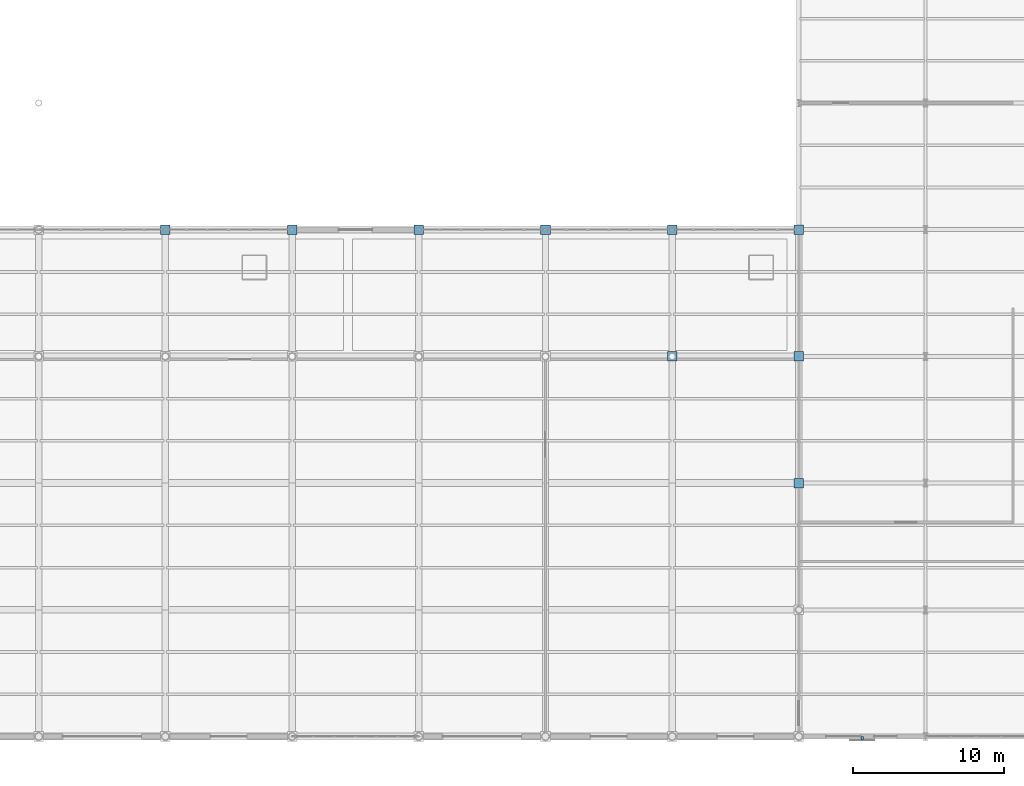
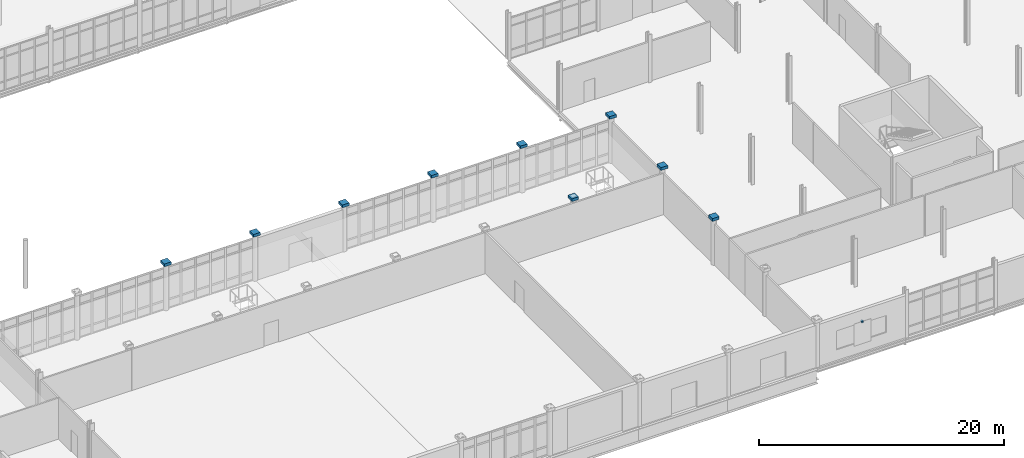
# One storey, part 132 of 145: 10 discrete accessories.
"""IFC4 building model written with IfcOpenShell, lengths in metres."""

from ifc_helpers import new_model, si_unit, direction, frame, origin, origin_2d, place, context, subcontext, project, spatial, rectangle, extrude, material, type_object, element, save


model = new_model("IFC4")

# Units and contexts
model_context = context("Model", 3, precision=1e-05, world=origin(), true_north=direction((0.0, 1.0)))
body_context = subcontext(model_context, "Body", "Model", "MODEL_VIEW")
ifc_project = project(units=[si_unit("LENGTHUNIT", "METRE"), si_unit("AREAUNIT", "SQUARE_METRE"), si_unit("VOLUMEUNIT", "CUBIC_METRE"), si_unit("PLANEANGLEUNIT", "RADIAN"), si_unit("MASSUNIT", "GRAM", prefix="KILO")], contexts=[model_context])

# Site, building, storey
site_placement = place(None, origin())
site = spatial("IfcSite", under=ifc_project, at=site_placement, CompositionType="ELEMENT")
building_placement = place(site_placement, origin())
building = spatial("IfcBuilding", under=site, at=building_placement, Name="Qalvenar Corner Mobility Hub", CompositionType="ELEMENT")
storey_placement = place(building_placement, origin())
storey = spatial("IfcBuildingStorey", under=building, at=storey_placement, Name="L00", CompositionType="ELEMENT", Elevation=0.0)

# Discrete accessories
ifc_material_1 = material(Name="Cast-Bronze Art Nouveau Column Capital Steel S355", Category="steel")
discrete_accessory_type_1 = type_object("IfcDiscreteAccessoryType", Name="ACC-COL-CAP", PredefinedType="BRACKET", material=ifc_material_1)
for number, where, z_axis, x_axis, name in (
    (1, (67.199951171875, 33.60009765625, 4.509765625), (0.0, 0.0, 1.0), (1.0, 0.0, 0.0), "Art Nouveau Column Capital G9-4"),
    (2, (75.60009765625, 33.60009765625, 4.509765625), (0.0, 0.0, 1.0), (1.0, 0.0, 0.0), "Art Nouveau Column Capital G10-4"),
    (3, (84.0, 33.60009765625, 4.509765625), (0.0, 0.0, 1.0), (1.0, 0.0, 0.0), "Art Nouveau Column Capital G11-4"),
    (4, (92.39990234375, 33.60009765625, 4.509765625), (0.0, 0.0, 1.0), (1.0, 0.0, 0.0), "Art Nouveau Column Capital G12-4"),
    (5, (100.800048828125, 25.199951171875, 4.330078125), (0.0, 0.0, 1.0), (1.0, 0.0, 0.0), "Art Nouveau Column Capital G13-3"),
    (6, (100.800048828125, 33.60009765625, 4.509765625), (0.0, 0.0, 1.0), (1.0, 0.0, 0.0), "Art Nouveau Column Capital G13-4"),
    (7, (109.199951171875, 16.800048828125, 4.509765625), (0.0, 0.0, 1.0), (1.0, 0.0, 0.0), "Art Nouveau Column Capital G14-2"),
    (8, (109.199951171875, 25.199951171875, 4.509765625), (0.0, 0.0, 1.0), (1.0, 0.0, 0.0), "Art Nouveau Column Capital G14-3"),
    (9, (109.199951171875, 33.60009765625, 4.509765625), (0.0, 0.0, 1.0), (1.0, 0.0, 0.0), "Art Nouveau Column Capital G14-4"),
):
    element("IfcDiscreteAccessory", number, at=place(storey_placement, frame(where, z_axis=z_axis, x_axis=x_axis)), inside=storey, type_object=discrete_accessory_type_1, Name=name, PredefinedType="BRACKET", context=body_context, shape_type="SweptSolid", body=[
        extrude(rectangle(XDim=0.639892578125, YDim=0.639892578125, at=origin_2d()), origin(), (0.0, 0.0, 1.0), 0.280029296875),
    ])
ifc_material_2 = material(Name="Steel S355", Category="steel")
discrete_accessory_type_2 = type_object("IfcDiscreteAccessoryType", Name="ACC-HINGE-BRK", PredefinedType="BRACKET", material=ifc_material_2)
discrete_accessory_placement = place(storey_placement, frame((113.39990234375, -0.1201171875, 2.97021484375), z_axis=(0.0, 0.0, 1.0), x_axis=(1.0, 0.0, 0.0)))
element("IfcDiscreteAccessory", 10, at=discrete_accessory_placement, inside=storey, type_object=discrete_accessory_type_2, Name="Workshop Louvre Bracket BKV6-L00-0", PredefinedType="BRACKET", context=body_context, shape_type="SweptSolid", body=[
    extrude(rectangle(XDim=0.159912109375, YDim=0.239990234375, at=origin_2d()), origin(), (0.0, 0.0, 1.0), 0.159912109375),
])

save(model, "model.ifc")
